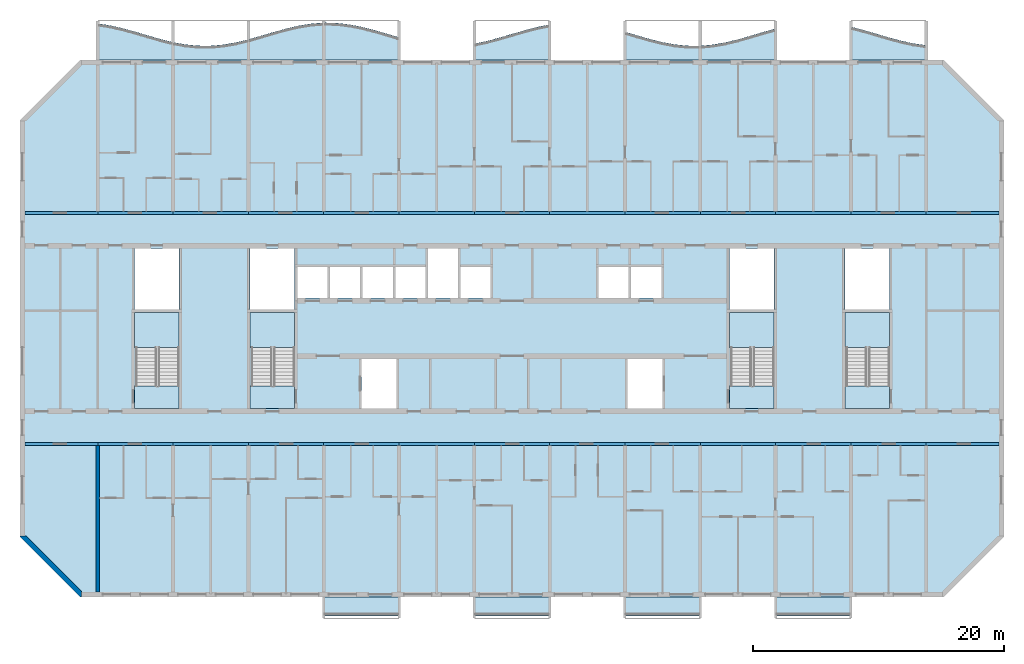
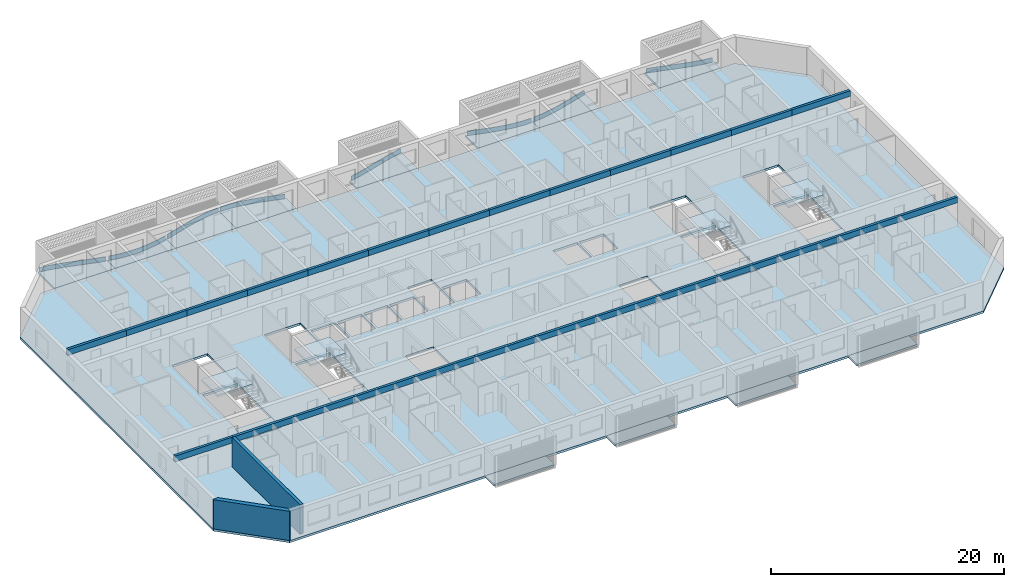
# One storey, part 1 of 32: 26 beams, 21 slabs, 8 plates, 2 walls, 4 elements without a shape of their own.
"""IFC4 building model written with IfcOpenShell, lengths in metres."""

from ifc_helpers import new_model, si_unit, direction, frame, frame_2d, origin, origin_2d, place, context, subcontext, project, spatial, polyline, rectangle, outline, extrude, source, transform, mapped, material, layer, layer_set, material_profile, profile_set, type_object, element, aggregate, save


model = new_model("IFC4")

# Units and contexts
model_context = context("Model", 3, precision=1e-05, world=origin(), true_north=direction((0.0, 1.0)))
body_context = subcontext(model_context, "Body", "Model", "MODEL_VIEW")
ifc_project = project(units=[si_unit("LENGTHUNIT", "METRE"), si_unit("AREAUNIT", "SQUARE_METRE"), si_unit("VOLUMEUNIT", "CUBIC_METRE"), si_unit("PLANEANGLEUNIT", "RADIAN"), si_unit("MASSUNIT", "GRAM", prefix="KILO")], contexts=[model_context])

# Site, building, storey
site_placement = place(None, origin())
site = spatial("IfcSite", under=ifc_project, at=site_placement, CompositionType="ELEMENT")
building_placement = place(site_placement, origin())
building = spatial("IfcBuilding", under=site, at=building_placement, Name="Poui Terraces", CompositionType="ELEMENT")
storey_placement = place(building_placement, frame((0.0, 0.0, 129.0)))
storey = spatial("IfcBuildingStorey", under=building, at=storey_placement, Name="L35", CompositionType="ELEMENT", Elevation=129.0)

# Beams
ifc_material_1 = material(Name="Concrete 65 MPa", Category="concrete")
ifc_material_profile = material_profile(ifc_material_1, rectangle(XDim=0.25, YDim=0.60009765625, at=origin_2d()), Name="RC 250x600")
ifc_profile_set = profile_set([ifc_material_profile], Name="Concrete 65 MPa")
beam_type = type_object("IfcBeamType", Name="COUPLING BEAM 250x600 65MPa", PredefinedType="BEAM", material=ifc_profile_set)
shared_shape_1 = source(origin(), body_context, "Body", "SweptSolid", [
    extrude(rectangle(XDim=0.25, YDim=0.60009765625, at=origin_2d()), origin(), (0.0, 0.0, 1.0), 5.800048828125),
])
for number, where, z_axis, x_axis, name in (
    (1, (12.199951171875, 12.0, 2.77001953125), (1.0, 0.0, 0.0), (0.0, 1.0, 0.0), "COUPLING BEAM LINE B BAY 1"),
    (2, (84.0, 12.0, 2.77001953125), (1.0, 0.0, 0.0), (0.0, 1.0, 0.0), "COUPLING BEAM LINE B BAY 13"),
    (3, (12.199951171875, 30.39990234375, 2.77001953125), (1.0, 0.0, 0.0), (0.0, 1.0, 0.0), "COUPLING BEAM LINE E BAY 1"),
    (4, (84.0, 30.39990234375, 2.77001953125), (1.0, 0.0, 0.0), (0.0, 1.0, 0.0), "COUPLING BEAM LINE E BAY 13"),
):
    element("IfcBeam", number, at=place(storey_placement, frame(where, z_axis=z_axis, x_axis=x_axis)), inside=storey, type_object=beam_type, Name=name, PredefinedType="BEAM", context=body_context, shape_type="MappedRepresentation", body=[
        mapped(shared_shape_1, transform((0.0, 0.0, 0.0))),
    ])
shared_shape_2 = source(origin(), body_context, "Body", "SweptSolid", [
    extrude(rectangle(XDim=0.25, YDim=0.60009765625, at=origin_2d()), origin(), (0.0, 0.0, 1.0), 6.0),
])
for number, where, z_axis, x_axis, name in (
    (5, (18.0, 12.0, 2.77001953125), (1.0, 0.0, 0.0), (0.0, 1.0, 0.0), "COUPLING BEAM LINE B BAY 2"),
    (6, (24.0, 12.0, 2.77001953125), (1.0, 0.0, 0.0), (0.0, 1.0, 0.0), "COUPLING BEAM LINE B BAY 3"),
    (7, (30.0, 12.0, 2.77001953125), (1.0, 0.0, 0.0), (0.0, 1.0, 0.0), "COUPLING BEAM LINE B BAY 4"),
    (8, (36.0, 12.0, 2.77001953125), (1.0, 0.0, 0.0), (0.0, 1.0, 0.0), "COUPLING BEAM LINE B BAY 5"),
    (9, (42.0, 12.0, 2.77001953125), (1.0, 0.0, 0.0), (0.0, 1.0, 0.0), "COUPLING BEAM LINE B BAY 6"),
    (10, (48.0, 12.0, 2.77001953125), (1.0, 0.0, 0.0), (0.0, 1.0, 0.0), "COUPLING BEAM LINE B BAY 7"),
    (11, (54.0, 12.0, 2.77001953125), (1.0, 0.0, 0.0), (0.0, 1.0, 0.0), "COUPLING BEAM LINE B BAY 8"),
    (12, (60.0, 12.0, 2.77001953125), (1.0, 0.0, 0.0), (0.0, 1.0, 0.0), "COUPLING BEAM LINE B BAY 9"),
    (13, (66.0, 12.0, 2.77001953125), (1.0, 0.0, 0.0), (0.0, 1.0, 0.0), "COUPLING BEAM LINE B BAY 10"),
    (14, (72.0, 12.0, 2.77001953125), (1.0, 0.0, 0.0), (0.0, 1.0, 0.0), "COUPLING BEAM LINE B BAY 11"),
    (15, (78.0, 12.0, 2.77001953125), (1.0, 0.0, 0.0), (0.0, 1.0, 0.0), "COUPLING BEAM LINE B BAY 12"),
    (16, (18.0, 30.39990234375, 2.77001953125), (1.0, 0.0, 0.0), (0.0, 1.0, 0.0), "COUPLING BEAM LINE E BAY 2"),
    (17, (24.0, 30.39990234375, 2.77001953125), (1.0, 0.0, 0.0), (0.0, 1.0, 0.0), "COUPLING BEAM LINE E BAY 3"),
    (18, (30.0, 30.39990234375, 2.77001953125), (1.0, 0.0, 0.0), (0.0, 1.0, 0.0), "COUPLING BEAM LINE E BAY 4"),
    (19, (36.0, 30.39990234375, 2.77001953125), (1.0, 0.0, 0.0), (0.0, 1.0, 0.0), "COUPLING BEAM LINE E BAY 5"),
    (20, (42.0, 30.39990234375, 2.77001953125), (1.0, 0.0, 0.0), (0.0, 1.0, 0.0), "COUPLING BEAM LINE E BAY 6"),
    (21, (48.0, 30.39990234375, 2.77001953125), (1.0, 0.0, 0.0), (0.0, 1.0, 0.0), "COUPLING BEAM LINE E BAY 7"),
    (22, (54.0, 30.39990234375, 2.77001953125), (1.0, 0.0, 0.0), (0.0, 1.0, 0.0), "COUPLING BEAM LINE E BAY 8"),
    (23, (60.0, 30.39990234375, 2.77001953125), (1.0, 0.0, 0.0), (0.0, 1.0, 0.0), "COUPLING BEAM LINE E BAY 9"),
    (24, (66.0, 30.39990234375, 2.77001953125), (1.0, 0.0, 0.0), (0.0, 1.0, 0.0), "COUPLING BEAM LINE E BAY 10"),
    (25, (72.0, 30.39990234375, 2.77001953125), (1.0, 0.0, 0.0), (0.0, 1.0, 0.0), "COUPLING BEAM LINE E BAY 11"),
    (26, (78.0, 30.39990234375, 2.77001953125), (1.0, 0.0, 0.0), (0.0, 1.0, 0.0), "COUPLING BEAM LINE E BAY 12"),
):
    element("IfcBeam", number, at=place(storey_placement, frame(where, z_axis=z_axis, x_axis=x_axis)), inside=storey, type_object=beam_type, Name=name, PredefinedType="BEAM", context=body_context, shape_type="MappedRepresentation", body=[
        mapped(shared_shape_2, transform((0.0, 0.0, 0.0))),
    ])

# Slabs
ifc_material_2 = material(Name="Precast concrete 40 MPa", Category="concrete")
ifc_layer_1 = layer(ifc_material_2, 0.199951171875)
ifc_layer_set_1 = layer_set([ifc_layer_1], Name="Precast concrete 40 MPa")
slab_type_1 = type_object("IfcSlabType", Name="BALCONY SLAB 200", PredefinedType="FLOOR", material=ifc_layer_set_1)
slab_1_placement = place(storey_placement, frame((0.0, 0.0, -0.2001953125)))
element("IfcSlab", 27, at=slab_1_placement, inside=storey, type_object=slab_type_1, Name="BALCONY SLAB", PredefinedType="FLOOR", context=body_context, shape_type="SweptSolid", body=[
    extrude(outline(polyline([(18.0, 42.60009765625), (24.0, 42.60009765625), (24.0, 43.9931640625), (23.0, 44.23974609375), (22.0, 44.52587890625), (21.0, 44.822265625), (20.0, 45.09814453125), (19.0, 45.325439453125), (18.0, 45.480712890625), (18.0, 42.60009765625)])), origin(), (0.0, 0.0, 1.0), 0.2001953125),
])
slab_2_placement = place(storey_placement, frame((0.0, 0.0, -0.2001953125)))
element("IfcSlab", 28, at=slab_2_placement, inside=storey, type_object=slab_type_1, Name="BALCONY SLAB", PredefinedType="FLOOR", context=body_context, shape_type="SweptSolid", body=[
    extrude(outline(polyline([(24.0, 42.60009765625), (30.0, 42.60009765625), (30.0, 44.21728515625), (29.0, 43.975341796875), (28.0, 43.80029296875), (27.0, 43.710205078125), (26.0, 43.714111328125), (25.0, 43.811767578125), (24.0, 43.9931640625), (24.0, 42.60009765625)])), origin(), (0.0, 0.0, 1.0), 0.2001953125),
])
slab_3_placement = place(storey_placement, frame((0.0, 0.0, -0.2001953125)))
element("IfcSlab", 29, at=slab_3_placement, inside=storey, type_object=slab_type_1, Name="BALCONY SLAB", PredefinedType="FLOOR", context=body_context, shape_type="SweptSolid", body=[
    extrude(outline(polyline([(30.0, 42.60009765625), (36.0, 42.60009765625), (36.0, 45.5458984375), (35.0, 45.470947265625), (34.0, 45.30908203125), (33.0, 45.07666015625), (32.0, 44.7978515625), (31.0, 44.501220703125), (30.0, 44.21728515625), (30.0, 42.60009765625)])), origin(), (0.0, 0.0, 1.0), 0.2001953125),
])
slab_4_placement = place(storey_placement, frame((0.0, 0.0, -0.2001953125)))
element("IfcSlab", 30, at=slab_4_placement, inside=storey, type_object=slab_type_1, Name="BALCONY SLAB", PredefinedType="FLOOR", context=body_context, shape_type="SweptSolid", body=[
    extrude(outline(polyline([(36.0, 42.60009765625), (42.0, 42.60009765625), (42.0, 44.379638671875), (41.0, 44.6748046875), (40.0, 44.964599609375), (39.0, 45.219482421875), (38.0, 45.413330078125), (37.0, 45.52587890625), (36.0, 45.5458984375), (36.0, 42.60009765625)])), origin(), (0.0, 0.0, 1.0), 0.2001953125),
])
slab_5_placement = place(storey_placement, frame((0.0, 0.0, -0.2001953125)))
element("IfcSlab", 31, at=slab_5_placement, inside=storey, type_object=slab_type_1, Name="BALCONY SLAB", PredefinedType="FLOOR", context=body_context, shape_type="SweptSolid", body=[
    extrude(outline(polyline([(48.0, 42.60009765625), (54.0, 42.60009765625), (54.0, 45.400146484375), (53.0, 45.2001953125), (52.0, 44.94140625), (51.0, 44.64990234375), (50.0, 44.355712890625), (49.0, 44.08935546875), (48.0, 43.878173828125), (48.0, 42.60009765625)])), origin(), (0.0, 0.0, 1.0), 0.2001953125),
])
slab_6_placement = place(storey_placement, frame((0.0, 0.0, -0.2001953125)))
element("IfcSlab", 32, at=slab_6_placement, inside=storey, type_object=slab_type_1, Name="BALCONY SLAB", PredefinedType="FLOOR", context=body_context, shape_type="SweptSolid", body=[
    extrude(outline(polyline([(60.0, 42.60009765625), (66.0, 42.60009765625), (66.0, 43.710205078125), (65.0, 43.714111328125), (64.0, 43.811767578125), (63.0, 43.9931640625), (62.0, 44.23974609375), (61.0, 44.52587890625), (60.0, 44.822265625), (60.0, 42.60009765625)])), origin(), (0.0, 0.0, 1.0), 0.2001953125),
])
slab_7_placement = place(storey_placement, frame((0.0, 0.0, -0.2001953125)))
element("IfcSlab", 33, at=slab_7_placement, inside=storey, type_object=slab_type_1, Name="BALCONY SLAB", PredefinedType="FLOOR", context=body_context, shape_type="SweptSolid", body=[
    extrude(outline(polyline([(66.0, 42.60009765625), (72.0, 42.60009765625), (72.0, 45.07666015625), (71.0, 44.7978515625), (70.0, 44.501220703125), (69.0, 44.21728515625), (68.0, 43.975341796875), (67.0, 43.80029296875), (66.0, 43.710205078125), (66.0, 42.60009765625)])), origin(), (0.0, 0.0, 1.0), 0.2001953125),
])
slab_8_placement = place(storey_placement, frame((0.0, 0.0, -0.2001953125)))
element("IfcSlab", 34, at=slab_8_placement, inside=storey, type_object=slab_type_1, Name="BALCONY SLAB", PredefinedType="FLOOR", context=body_context, shape_type="SweptSolid", body=[
    extrude(outline(polyline([(78.0, 42.60009765625), (84.0, 42.60009765625), (84.0, 43.751708984375), (83.0, 43.89306640625), (82.0, 44.10986328125), (81.0, 44.379638671875), (80.0, 44.6748046875), (79.0, 44.964599609375), (78.0, 45.219482421875), (78.0, 42.60009765625)])), origin(), (0.0, 0.0, 1.0), 0.2001953125),
])

# Stair, slabs
stair_type = type_object("IfcStairType", Name="EXIT STAIR 1650 65 MPA", PredefinedType="HALF_TURN_STAIR", material=ifc_material_1)
stair_1_placement = place(storey_placement, origin())
stair_1 = element("IfcStair", 35, at=stair_1_placement, inside=storey, type_object=stair_type, Name="L35 CORE STAIR EAST", PredefinedType="HALF_TURN_STAIR")
ifc_layer_2 = layer(ifc_material_1, 0.199951171875)
ifc_layer_set_2 = layer_set([ifc_layer_2], Name="Concrete 65 MPa")
slab_type_2 = type_object("IfcSlabType", Name="STAIR LANDING 200 65 MPA", PredefinedType="LANDING", material=ifc_layer_set_2)
slab_9_placement = place(storey_placement, frame((0.0, 0.0, 1.449951171875)))
slab_9 = element("IfcSlab", 36, at=slab_9_placement, type_object=slab_type_2, Name="ST-CE landing 1", PredefinedType="LANDING", context=body_context, shape_type="SweptSolid", body=[
    extrude(outline(polyline([(68.324951171875, 19.679931640625), (71.875, 19.679931640625), (71.875, 22.47509765625), (68.324951171875, 22.47509765625), (68.324951171875, 19.679931640625)])), origin(), (0.0, 0.0, 1.0), 0.199951171875),
])
slab_10_placement = place(storey_placement, frame((0.0, 0.0, -0.2001953125)))
slab_10 = element("IfcSlab", 37, at=slab_10_placement, type_object=slab_type_2, Name="ST-CE landing 2", PredefinedType="LANDING", context=body_context, shape_type="SweptSolid", body=[
    extrude(outline(polyline([(68.324951171875, 14.824951171875), (71.875, 14.824951171875), (71.875, 16.60009765625), (68.324951171875, 16.60009765625), (68.324951171875, 14.824951171875)])), origin(), (0.0, 0.0, 1.0), 0.2001953125),
])
aggregate(stair_1, [slab_9, slab_10])

stair_2_placement = place(storey_placement, origin())
stair_2 = element("IfcStair", 38, at=stair_2_placement, inside=storey, type_object=stair_type, Name="L35 CORE STAIR WEST", PredefinedType="HALF_TURN_STAIR")
slab_11_placement = place(storey_placement, frame((0.0, 0.0, 1.449951171875)))
slab_11 = element("IfcSlab", 39, at=slab_11_placement, type_object=slab_type_2, Name="ST-CW landing 1", PredefinedType="LANDING", context=body_context, shape_type="SweptSolid", body=[
    extrude(outline(polyline([(30.125, 19.679931640625), (33.675048828125, 19.679931640625), (33.675048828125, 22.47509765625), (30.125, 22.47509765625), (30.125, 19.679931640625)])), origin(), (0.0, 0.0, 1.0), 0.199951171875),
])
slab_12_placement = place(storey_placement, frame((0.0, 0.0, -0.2001953125)))
slab_12 = element("IfcSlab", 40, at=slab_12_placement, type_object=slab_type_2, Name="ST-CW landing 2", PredefinedType="LANDING", context=body_context, shape_type="SweptSolid", body=[
    extrude(outline(polyline([(30.125, 14.824951171875), (33.675048828125, 14.824951171875), (33.675048828125, 16.60009765625), (30.125, 16.60009765625), (30.125, 14.824951171875)])), origin(), (0.0, 0.0, 1.0), 0.2001953125),
])
aggregate(stair_2, [slab_11, slab_12])

stair_3_placement = place(storey_placement, origin())
stair_3 = element("IfcStair", 41, at=stair_3_placement, inside=storey, type_object=stair_type, Name="L35 TIP STAIR EAST", PredefinedType="HALF_TURN_STAIR")
slab_13_placement = place(storey_placement, frame((0.0, 0.0, 1.449951171875)))
slab_13 = element("IfcSlab", 42, at=slab_13_placement, type_object=slab_type_2, Name="ST-E landing 1", PredefinedType="LANDING", context=body_context, shape_type="SweptSolid", body=[
    extrude(outline(polyline([(77.52490234375, 19.679931640625), (81.074951171875, 19.679931640625), (81.074951171875, 22.47509765625), (77.52490234375, 22.47509765625), (77.52490234375, 19.679931640625)])), origin(), (0.0, 0.0, 1.0), 0.199951171875),
])
slab_14_placement = place(storey_placement, frame((0.0, 0.0, -0.2001953125)))
slab_14 = element("IfcSlab", 43, at=slab_14_placement, type_object=slab_type_2, Name="ST-E landing 2", PredefinedType="LANDING", context=body_context, shape_type="SweptSolid", body=[
    extrude(outline(polyline([(77.52490234375, 14.824951171875), (81.074951171875, 14.824951171875), (81.074951171875, 16.60009765625), (77.52490234375, 16.60009765625), (77.52490234375, 14.824951171875)])), origin(), (0.0, 0.0, 1.0), 0.2001953125),
])
aggregate(stair_3, [slab_13, slab_14])

stair_4_placement = place(storey_placement, origin())
stair_4 = element("IfcStair", 44, at=stair_4_placement, inside=storey, type_object=stair_type, Name="L35 TIP STAIR WEST", PredefinedType="HALF_TURN_STAIR")
slab_15_placement = place(storey_placement, frame((0.0, 0.0, 1.449951171875)))
slab_15 = element("IfcSlab", 45, at=slab_15_placement, type_object=slab_type_2, Name="ST-W landing 1", PredefinedType="LANDING", context=body_context, shape_type="SweptSolid", body=[
    extrude(outline(polyline([(20.925048828125, 19.679931640625), (24.47509765625, 19.679931640625), (24.47509765625, 22.47509765625), (20.925048828125, 22.47509765625), (20.925048828125, 19.679931640625)])), origin(), (0.0, 0.0, 1.0), 0.199951171875),
])
slab_16_placement = place(storey_placement, frame((0.0, 0.0, -0.2001953125)))
slab_16 = element("IfcSlab", 46, at=slab_16_placement, type_object=slab_type_2, Name="ST-W landing 2", PredefinedType="LANDING", context=body_context, shape_type="SweptSolid", body=[
    extrude(outline(polyline([(20.925048828125, 14.824951171875), (24.47509765625, 14.824951171875), (24.47509765625, 16.60009765625), (20.925048828125, 16.60009765625), (20.925048828125, 14.824951171875)])), origin(), (0.0, 0.0, 1.0), 0.2001953125),
])
aggregate(stair_4, [slab_15, slab_16])

# Plates
ifc_layer_3 = layer(ifc_material_2, 0.080078125)
ifc_layer_set_3 = layer_set([ifc_layer_3], Name="Precast concrete 40 MPa")
plate_type = type_object("IfcPlateType", Name="SUNSHADE UPSTAND 80", PredefinedType="SHEET", material=ifc_layer_set_3)
plate_1_placement = place(storey_placement, origin())
element("IfcPlate", 47, at=plate_1_placement, inside=storey, type_object=plate_type, Name="SUNSHADE UPSTAND", PredefinedType="SHEET", context=body_context, shape_type="SweptSolid", body=[
    extrude(outline(polyline([(19.007568359375, 45.31982421875), (18.140869140625, 45.458984375), (18.13134765625, 45.46044921875), (18.11865234375, 45.38134765625), (18.992431640625, 45.2412109375), (19.990234375, 45.014404296875), (20.989013671875, 44.73876953125), (21.98876953125, 44.4423828125), (22.989501953125, 44.156005859375), (23.865234375, 43.937255859375), (23.884765625, 44.014892578125), (23.010498046875, 44.2333984375), (22.01123046875, 44.519287109375), (21.010986328125, 44.815673828125), (20.009765625, 45.092041015625), (19.007568359375, 45.31982421875)])), origin(), (0.0, 0.0, 1.0), 0.449951171875),
])
plate_2_placement = place(storey_placement, origin())
element("IfcPlate", 48, at=plate_2_placement, inside=storey, type_object=plate_type, Name="SUNSHADE UPSTAND", PredefinedType="SHEET", context=body_context, shape_type="SweptSolid", body=[
    extrude(outline(polyline([(25.00537109375, 43.806396484375), (24.132080078125, 43.9609375), (24.117919921875, 43.882080078125), (24.99462890625, 43.72705078125), (25.998046875, 43.629150390625), (27.001708984375, 43.625), (28.00537109375, 43.715576171875), (29.008056640625, 43.89111328125), (29.88427734375, 44.100341796875), (29.86572265625, 44.177978515625), (28.991943359375, 43.969482421875), (27.99462890625, 43.794921875), (26.998291015625, 43.705078125), (26.001953125, 43.708984375), (25.00537109375, 43.806396484375)])), origin(), (0.0, 0.0, 1.0), 0.449951171875),
])
plate_3_placement = place(storey_placement, origin())
element("IfcPlate", 49, at=plate_3_placement, inside=storey, type_object=plate_type, Name="SUNSHADE UPSTAND", PredefinedType="SHEET", context=body_context, shape_type="SweptSolid", body=[
    extrude(outline(polyline([(30.98876953125, 44.49462890625), (30.114013671875, 44.244384765625), (30.135986328125, 44.16748046875), (31.01123046875, 44.417724609375), (32.010986328125, 44.71435546875), (33.010009765625, 44.992919921875), (34.0078125, 45.224853515625), (35.0048828125, 45.38623046875), (35.878173828125, 45.456787109375), (35.871826171875, 45.536376953125), (35.83251953125, 45.533447265625), (34.9951171875, 45.4658203125), (33.9921875, 45.30322265625), (32.989990234375, 45.070556640625), (31.989013671875, 44.791259765625), (30.98876953125, 44.49462890625)])), origin(), (0.0, 0.0, 1.0), 0.449951171875),
])
plate_4_placement = place(storey_placement, origin())
element("IfcPlate", 50, at=plate_4_placement, inside=storey, type_object=plate_type, Name="SUNSHADE UPSTAND", PredefinedType="SHEET", context=body_context, shape_type="SweptSolid", body=[
    extrude(outline(polyline([(37.002685546875, 45.52099609375), (36.166748046875, 45.54248046875), (36.1259765625, 45.54345703125), (36.1240234375, 45.463623046875), (36.997314453125, 45.441162109375), (37.993896484375, 45.328857421875), (38.9912109375, 45.135498046875), (39.989501953125, 44.881103515625), (40.98876953125, 44.59130859375), (41.863525390625, 44.33251953125), (41.886474609375, 44.4091796875), (41.01123046875, 44.66796875), (40.010498046875, 44.958251953125), (39.0087890625, 45.213623046875), (38.006103515625, 45.407958984375), (37.002685546875, 45.52099609375)])), origin(), (0.0, 0.0, 1.0), 0.449951171875),
])
plate_5_placement = place(storey_placement, origin())
element("IfcPlate", 51, at=plate_5_placement, inside=storey, type_object=plate_type, Name="SUNSHADE UPSTAND", PredefinedType="SHEET", context=body_context, shape_type="SweptSolid", body=[
    extrude(outline(polyline([(48.990478515625, 44.083251953125), (48.11669921875, 43.894775390625), (48.13330078125, 43.816650390625), (49.009521484375, 44.005615234375), (50.0107421875, 44.272216796875), (51.01123046875, 44.56640625), (52.010498046875, 44.85791015625), (53.009033203125, 45.116455078125), (53.883056640625, 45.294921875), (53.866943359375, 45.373291015625), (52.990966796875, 45.1943359375), (51.989501953125, 44.934814453125), (50.98876953125, 44.643310546875), (49.9892578125, 44.349365234375), (48.990478515625, 44.083251953125)])), origin(), (0.0, 0.0, 1.0), 0.449951171875),
])
plate_6_placement = place(storey_placement, origin())
element("IfcPlate", 52, at=plate_6_placement, inside=storey, type_object=plate_type, Name="SUNSHADE UPSTAND", PredefinedType="SHEET", context=body_context, shape_type="SweptSolid", body=[
    extrude(outline(polyline([(61.01123046875, 44.519287109375), (60.136474609375, 44.779052734375), (60.113525390625, 44.702392578125), (60.98876953125, 44.4423828125), (61.98974609375, 44.156005859375), (62.99169921875, 43.9091796875), (63.994384765625, 43.72705078125), (64.997802734375, 43.629150390625), (65.87451171875, 43.620361328125), (65.87548828125, 43.7001953125), (65.002197265625, 43.708984375), (64.005615234375, 43.806396484375), (63.00830078125, 43.9873046875), (62.01025390625, 44.2333984375), (61.01123046875, 44.519287109375)])), origin(), (0.0, 0.0, 1.0), 0.449951171875),
])
plate_7_placement = place(storey_placement, origin())
element("IfcPlate", 53, at=plate_7_placement, inside=storey, type_object=plate_type, Name="SUNSHADE UPSTAND", PredefinedType="SHEET", context=body_context, shape_type="SweptSolid", body=[
    extrude(outline(polyline([(66.99462890625, 43.794921875), (66.12109375, 43.711181640625), (66.12890625, 43.631591796875), (67.00537109375, 43.715576171875), (68.00830078125, 43.89111328125), (69.01025390625, 44.133544921875), (70.01123046875, 44.417724609375), (71.010986328125, 44.71435546875), (71.8857421875, 44.960205078125), (71.8642578125, 45.037353515625), (70.989013671875, 44.791259765625), (69.98876953125, 44.49462890625), (68.98974609375, 44.2109375), (67.99169921875, 43.969482421875), (66.99462890625, 43.794921875)])), origin(), (0.0, 0.0, 1.0), 0.449951171875),
])
plate_8_placement = place(storey_placement, origin())
element("IfcPlate", 54, at=plate_8_placement, inside=storey, type_object=plate_type, Name="SUNSHADE UPSTAND", PredefinedType="SHEET", context=body_context, shape_type="SweptSolid", body=[
    extrude(outline(polyline([(79.010498046875, 44.958251953125), (78.135009765625, 45.184326171875), (78.114990234375, 45.106689453125), (78.989501953125, 44.881103515625), (79.98876953125, 44.59130859375), (80.989013671875, 44.296142578125), (81.990478515625, 44.02587890625), (82.992919921875, 43.80859375), (83.869140625, 43.679931640625), (83.880859375, 43.75927734375), (83.007080078125, 43.887451171875), (82.009521484375, 44.103759765625), (81.010986328125, 44.373046875), (80.01123046875, 44.66796875), (79.010498046875, 44.958251953125)])), origin(), (0.0, 0.0, 1.0), 0.449951171875),
])

# Slabs
ifc_material_3 = material(Name="Concrete 40 MPa", Category="concrete")
ifc_layer_4 = layer(ifc_material_3, 0.22998046875)
ifc_layer_set_4 = layer_set([ifc_layer_4], Name="Concrete 40 MPa")
slab_type_3 = type_object("IfcSlabType", Name="FLOOR SLAB 230", PredefinedType="FLOOR", material=ifc_layer_set_4)
shared_shape_3 = source(origin(), body_context, "Body", "SweptSolid", [
    extrude(outline(polyline([(0.0, 0.0), (4.800048828125, -4.800048828125), (73.599853515625, -4.800048828125), (78.39990234375, 0.0), (78.39990234375, 33.199951171875), (73.599853515625, 38.0), (4.800048828125, 38.0), (0.0, 33.199951171875), (0.0, 0.0)]), holes=[polyline([(27.199951171875, 10.224853515625), (27.199951171875, 14.1748046875), (30.0, 14.1748046875), (30.0, 10.224853515625), (27.199951171875, 10.224853515625)]), polyline([(9.224853515625, 17.849853515625), (12.675048828125, 17.849853515625), (12.675048828125, 12.0), (12.675048828125, 10.224853515625), (9.125, 10.224853515625), (9.125, 12.0), (9.224853515625, 12.0), (9.224853515625, 17.849853515625)]), polyline([(18.425048828125, 17.849853515625), (21.875, 17.849853515625), (21.875, 12.0), (21.875, 10.224853515625), (18.324951171875, 10.224853515625), (18.324951171875, 12.0), (18.425048828125, 12.0), (18.425048828125, 17.849853515625)]), polyline([(22.099853515625, 19.02490234375), (22.099853515625, 21.5), (24.5, 21.5), (24.5, 19.02490234375), (22.099853515625, 19.02490234375)]), polyline([(24.699951171875, 19.02490234375), (24.699951171875, 21.5), (27.099853515625, 21.5), (27.099853515625, 19.02490234375), (24.699951171875, 19.02490234375)]), polyline([(27.300048828125, 19.02490234375), (27.300048828125, 21.5), (29.699951171875, 21.5), (29.699951171875, 19.02490234375), (27.300048828125, 19.02490234375)]), polyline([(29.89990234375, 19.02490234375), (29.89990234375, 21.5), (32.300048828125, 21.5), (32.300048828125, 19.02490234375), (29.89990234375, 19.02490234375)]), polyline([(9.125, 22.974853515625), (12.675048828125, 22.974853515625), (12.675048828125, 18.125), (9.125, 18.125), (9.125, 22.974853515625)]), polyline([(18.324951171875, 22.974853515625), (21.875, 22.974853515625), (21.875, 18.125), (18.324951171875, 18.125), (18.324951171875, 22.974853515625)]), polyline([(48.39990234375, 10.224853515625), (48.39990234375, 14.1748046875), (51.199951171875, 14.1748046875), (51.199951171875, 10.224853515625), (48.39990234375, 10.224853515625)]), polyline([(56.625, 17.849853515625), (60.074951171875, 17.849853515625), (60.074951171875, 12.0), (60.074951171875, 10.224853515625), (56.52490234375, 10.224853515625), (56.52490234375, 12.0), (56.625, 12.0), (56.625, 17.849853515625)]), polyline([(65.824951171875, 17.849853515625), (69.27490234375, 17.849853515625), (69.27490234375, 12.0), (69.27490234375, 10.224853515625), (65.724853515625, 10.224853515625), (65.724853515625, 12.0), (65.824951171875, 12.0), (65.824951171875, 17.849853515625)]), polyline([(35.099853515625, 19.02490234375), (35.099853515625, 21.5), (37.5, 21.5), (37.5, 19.02490234375), (35.099853515625, 19.02490234375)]), polyline([(46.099853515625, 19.02490234375), (46.099853515625, 21.5), (48.5, 21.5), (48.5, 19.02490234375), (46.099853515625, 19.02490234375)]), polyline([(48.699951171875, 19.02490234375), (48.699951171875, 21.5), (51.099853515625, 21.5), (51.099853515625, 19.02490234375), (48.699951171875, 19.02490234375)]), polyline([(56.52490234375, 18.125), (56.52490234375, 22.974853515625), (60.074951171875, 22.974853515625), (60.074951171875, 18.125), (56.52490234375, 18.125)]), polyline([(65.724853515625, 22.974853515625), (69.27490234375, 22.974853515625), (69.27490234375, 18.125), (65.724853515625, 18.125), (65.724853515625, 22.974853515625)]), polyline([(32.5, 22.974853515625), (34.89990234375, 22.974853515625), (34.89990234375, 19.02490234375), (32.5, 19.02490234375), (32.5, 22.974853515625)])]), origin(), (0.0, 0.0, 1.0), 0.230224609375),
])
slab_17_placement = place(storey_placement, frame((11.800048828125, 4.60009765625, -0.230224609375)))
element("IfcSlab", 55, at=slab_17_placement, inside=storey, type_object=slab_type_3, Name="FLOOR SLAB", PredefinedType="FLOOR", context=body_context, shape_type="MappedRepresentation", body=[
    mapped(shared_shape_3, transform((0.0, 0.0, 0.0))),
])
ifc_layer_5 = layer(ifc_material_2, 0.199951171875)
ifc_layer_set_5 = layer_set([ifc_layer_5], Name="Precast concrete 40 MPa")
slab_type_4 = type_object("IfcSlabType", Name="REAR BALCONY SLAB 200", PredefinedType="FLOOR", material=ifc_layer_set_5)
shared_shape_4 = source(origin(), body_context, "Body", "SweptSolid", [
    extrude(outline(polyline([(0.0, 0.0), (6.0, 0.0), (6.0, 1.5), (0.0, 1.5), (0.0, 0.0)])), origin(), (0.0, 0.0, 1.0), 0.2001953125),
])
for number, where, name in (
    (56, (36.0, -1.699951171875, -0.2001953125), "REAR BALCONY SLAB"),
    (57, (48.0, -1.699951171875, -0.2001953125), "REAR BALCONY SLAB"),
    (58, (60.0, -1.699951171875, -0.2001953125), "REAR BALCONY SLAB"),
    (59, (72.0, -1.699951171875, -0.2001953125), "REAR BALCONY SLAB"),
):
    element("IfcSlab", number, at=place(storey_placement, frame(where)), inside=storey, type_object=slab_type_4, Name=name, PredefinedType="FLOOR", context=body_context, shape_type="MappedRepresentation", body=[
        mapped(shared_shape_4, transform((0.0, 0.0, 0.0))),
    ])

# Walls
ifc_layer_6 = layer(ifc_material_1, 0.300048828125)
ifc_layer_set_6 = layer_set([ifc_layer_6], Name="Concrete 65 MPa")
wall_type_1 = type_object("IfcWallType", Name="CROSS WALL 300 65MPa", PredefinedType="SHEAR", material=ifc_layer_set_6)
wall_1_placement = place(storey_placement, frame((18.0, 0.199951171875, 0.0), z_axis=(0.0, 0.0, 1.0), x_axis=(0.0, 1.0, 0.0)))
element("IfcWall", 60, at=wall_1_placement, inside=storey, type_object=wall_type_1, Name="CROSS WALL LINE 4 SOUTH", PredefinedType="SHEAR", context=body_context, shape_type="SweptSolid", body=[
    extrude(rectangle(XDim=11.675048828125, YDim=0.300048828125, at=frame_2d((5.83740234375, 0.0))), origin(), (0.0, 0.0, 1.0), 3.070068359375),
])
ifc_layer_7 = layer(ifc_material_2, 0.39990234375)
ifc_layer_set_7 = layer_set([ifc_layer_7], Name="Precast concrete 40 MPa")
wall_type_2 = type_object("IfcWallType", Name="TERRACOTTA CLAD CHAMFER WALL 400", PredefinedType="STANDARD", material=ifc_layer_set_7)
wall_2_placement = place(storey_placement, origin())
element("IfcWall", 61, at=wall_2_placement, inside=storey, type_object=wall_type_2, Name="CHAMFER WALL CH07", PredefinedType="STANDARD", context=body_context, shape_type="SweptSolid", body=[
    extrude(outline(polyline([(11.800048828125, 4.682861328125), (11.800048828125, 4.60009765625), (16.60009765625, -0.199951171875), (16.682861328125, -0.199951171875), (16.682861328125, 0.28271484375), (12.28271484375, 4.682861328125), (11.800048828125, 4.682861328125)])), origin(), (0.0, 0.0, 1.0), 3.070068359375),
])

save(model, "model.ifc")
